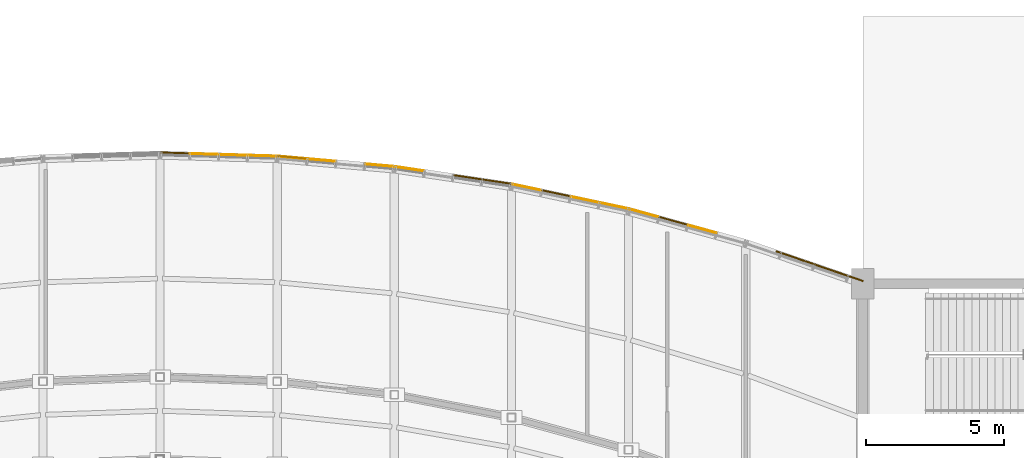
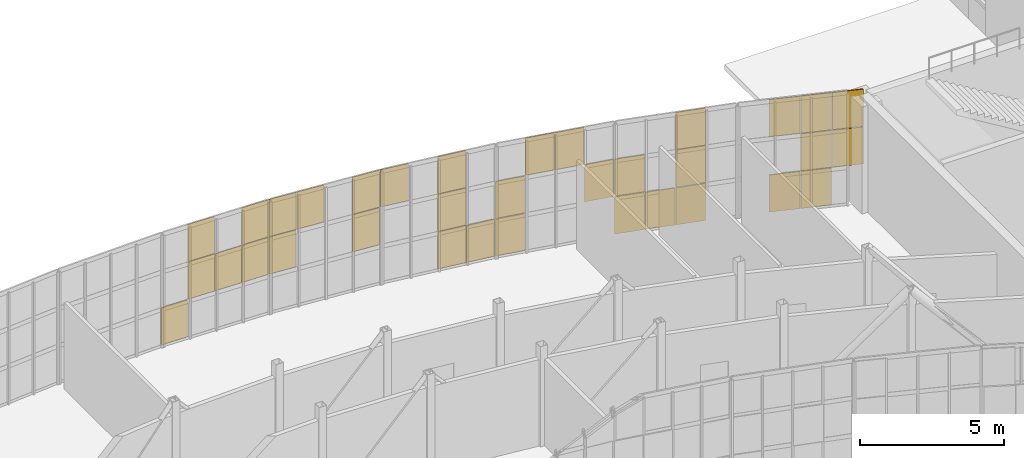
# One storey, part 82 of 86: 34 coverings.
"""IFC4 building model written with IfcOpenShell, lengths in metres."""

from ifc_helpers import new_model, si_unit, direction, frame, origin, origin_2d, place, context, subcontext, project, spatial, rectangle, extrude, material, layer, layer_set, type_object, element, save


model = new_model("IFC4")

# Units and contexts
model_context = context("Model", 3, precision=1e-05, world=origin(), true_north=direction((0.0, 1.0)))
body_context = subcontext(model_context, "Body", "Model", "MODEL_VIEW")
ifc_project = project(units=[si_unit("LENGTHUNIT", "METRE"), si_unit("AREAUNIT", "SQUARE_METRE"), si_unit("VOLUMEUNIT", "CUBIC_METRE"), si_unit("PLANEANGLEUNIT", "RADIAN"), si_unit("MASSUNIT", "GRAM", prefix="KILO")], contexts=[model_context])

# Site, building, storey
site_placement = place(None, origin())
site = spatial("IfcSite", under=ifc_project, at=site_placement, CompositionType="ELEMENT")
building_placement = place(site_placement, origin())
building = spatial("IfcBuilding", under=site, at=building_placement, Name="Solvikara Media Centre", CompositionType="ELEMENT")
storey_placement = place(building_placement, frame((0.0, 0.0, 15.0)))
storey = spatial("IfcBuildingStorey", under=building, at=storey_placement, Name="L03", CompositionType="ELEMENT", Elevation=15.0)

# Coverings
ifc_material_1 = material(Name="GFRC white mineral architectural rainscreen panel")
ifc_layer_1 = layer(ifc_material_1, 0.050048828125)
ifc_layer_set_1 = layer_set([ifc_layer_1], Name="GFRC white mineral architectural rainscreen panel")
covering_type_1 = type_object("IfcCoveringType", Name="CV-04", PredefinedType="CLADDING", material=ifc_layer_set_1)
covering_1_placement = place(storey_placement, frame((102.533935546875, 41.5458984375, 0.01513671875), z_axis=(0.0, 0.0, 1.0), x_axis=(0.999548919735, -0.030032599908, 0.0)))
element("IfcCovering", 1, at=covering_1_placement, inside=storey, type_object=covering_type_1, Name="CW-L03-NARC-06-SF-00", PredefinedType="CLADDING", context=body_context, shape_type="SweptSolid", body=[
    extrude(rectangle(XDim=1.031982421875, YDim=0.050048828125, at=origin_2d()), origin(), (0.0, 0.0, 1.0), 1.570068359375),
])
covering_2_placement = place(storey_placement, frame((106.7900390625, 41.387939453125, 1.61474609375), z_axis=(0.0, 0.0, 1.0), x_axis=(0.996142803437, -0.087746881202, 0.0)))
element("IfcCovering", 2, at=covering_2_placement, inside=storey, type_object=covering_type_1, Name="CW-L03-NARC-07-SF-01", PredefinedType="CLADDING", context=body_context, shape_type="SweptSolid", body=[
    extrude(rectangle(XDim=1.037109375, YDim=0.050048828125, at=origin_2d()), origin(), (0.0, 0.0, 1.0), 1.570068359375),
])
for number, where, z_axis, x_axis, name in (
    (3, (113.1708984375, 40.659912109375, 0.01513671875), (0.0, 0.0, 1.0), (0.989069971909, -0.147446907963, 0.0), "CW-L03-NARC-08-SF-20"),
    (4, (113.1708984375, 40.659912109375, 1.61474609375), (0.0, 0.0, 1.0), (0.989069971909, -0.147446907963, 0.0), "CW-L03-NARC-08-SF-21"),
    (5, (113.1708984375, 40.659912109375, 3.21484375), (0.0, 0.0, 1.0), (0.989069971909, -0.147446907963, 0.0), "CW-L03-NARC-08-SF-22"),
):
    element("IfcCovering", number, at=place(storey_placement, frame(where, z_axis=z_axis, x_axis=x_axis)), inside=storey, type_object=covering_type_1, Name=name, PredefinedType="CLADDING", context=body_context, shape_type="SweptSolid", body=[
        extrude(rectangle(XDim=1.0439453125, YDim=0.050048828125, at=origin_2d()), origin(), (0.0, 0.0, 1.0), 1.570068359375),
    ])
covering_3_placement = place(storey_placement, frame((114.23193359375, 40.501953125, 0.01513671875), z_axis=(0.0, 0.0, 1.0), x_axis=(0.988930567215, -0.148379018826, 0.0)))
element("IfcCovering", 6, at=covering_3_placement, inside=storey, type_object=covering_type_1, Name="CW-L03-NARC-08-SF-30", PredefinedType="CLADDING", context=body_context, shape_type="SweptSolid", body=[
    extrude(rectangle(XDim=1.044921875, YDim=0.050048828125, at=origin_2d()), origin(), (0.0, 0.0, 1.0), 1.570068359375),
])
covering_4_placement = place(storey_placement, frame((116.363037109375, 40.083984375, 3.21484375), z_axis=(0.0, 0.0, 1.0), x_axis=(0.978447760018, -0.206494505776, 0.0)))
element("IfcCovering", 7, at=covering_4_placement, inside=storey, type_object=covering_type_1, Name="CW-L03-NARC-09-SF-12", PredefinedType="CLADDING", context=body_context, shape_type="SweptSolid", body=[
    extrude(rectangle(XDim=1.055908203125, YDim=0.050048828125, at=origin_2d()), origin(), (0.0, 0.0, 1.0), 1.570068359375),
])
covering_5_placement = place(storey_placement, frame((120.618896484375, 39.08203125, 0.01513671875), z_axis=(0.0, 0.0, 1.0), x_axis=(0.964049041264, -0.265724379832, 0.0)))
element("IfcCovering", 8, at=covering_5_placement, inside=storey, type_object=covering_type_1, Name="CW-L03-NARC-10-SF-10", PredefinedType="CLADDING", context=body_context, shape_type="SweptSolid", body=[
    extrude(rectangle(XDim=1.072998046875, YDim=0.050048828125, at=origin_2d()), origin(), (0.0, 0.0, 1.0), 1.570068359375),
])
for number, where, z_axis, x_axis, name in (
    (9, (124.8740234375, 37.802001953125, 0.01513671875), (0.0, 0.0, 1.0), (0.945807995037, -0.324726402566, 0.0), "CW-L03-NARC-11-SF-10"),
    (10, (125.93701171875, 37.43603515625, 0.01513671875), (0.0, 0.0, 1.0), (0.945807995037, -0.324726402566, 0.0), "CW-L03-NARC-11-SF-20"),
    (11, (125.93701171875, 37.43603515625, 3.21484375), (0.0, 0.0, 1.0), (0.945807995037, -0.324726402566, 0.0), "CW-L03-NARC-11-SF-22"),
    (12, (126.9990234375, 37.072021484375, 3.21484375), (0.0, 0.0, 1.0), (0.945807995037, -0.324726402566, 0.0), "CW-L03-NARC-11-SF-32"),
):
    element("IfcCovering", number, at=place(storey_placement, frame(where, z_axis=z_axis, x_axis=x_axis)), inside=storey, type_object=covering_type_1, Name=name, PredefinedType="CLADDING", context=body_context, shape_type="SweptSolid", body=[
        extrude(rectangle(XDim=1.093017578125, YDim=0.050048828125, at=origin_2d()), origin(), (0.0, 0.0, 1.0), 1.570068359375),
    ])
ifc_material_2 = material(Name="Insulated silver-pearl glass spandrel panel", Category="glass")
ifc_layer_2 = layer(ifc_material_2, 0.034912109375)
ifc_layer_set_2 = layer_set([ifc_layer_2], Name="Insulated silver-pearl glass spandrel panel")
covering_type_2 = type_object("IfcCoveringType", Name="CV-06", PredefinedType="CLADDING", material=ifc_layer_set_2)
for number, where, z_axis, x_axis, name in (
    (13, (103.595947265625, 41.50390625, 1.61474609375), (0.0, 0.0, 1.0), (0.999548919735, -0.030032599908, 0.0), "CW-L03-NARC-06-PX-11"),
    (14, (103.595947265625, 41.50390625, 3.21484375), (0.0, 0.0, 1.0), (0.999548919735, -0.030032599908, 0.0), "CW-L03-NARC-06-PX-12"),
):
    element("IfcCovering", number, at=place(storey_placement, frame(where, z_axis=z_axis, x_axis=x_axis)), inside=storey, type_object=covering_type_2, Name=name, PredefinedType="CLADDING", context=body_context, shape_type="SweptSolid", body=[
        extrude(rectangle(XDim=1.031982421875, YDim=0.034912109375, at=origin_2d()), origin(), (0.0, 0.0, 1.0), 1.570068359375),
    ])
covering_6_placement = place(storey_placement, frame((104.658935546875, 41.471923828125, 1.61474609375), z_axis=(0.0, 0.0, 1.0), x_axis=(0.999549967461, -0.02999770905, 0.0)))
element("IfcCovering", 15, at=covering_6_placement, inside=storey, type_object=covering_type_2, Name="CW-L03-NARC-06-PX-21", PredefinedType="CLADDING", context=body_context, shape_type="SweptSolid", body=[
    extrude(rectangle(XDim=1.032958984375, YDim=0.034912109375, at=origin_2d()), origin(), (0.0, 0.0, 1.0), 1.570068359375),
])
for number, where, z_axis, x_axis, name in (
    (16, (105.720947265625, 41.44091796875, 1.61474609375), (0.0, 0.0, 1.0), (0.999548919735, -0.030032599908, 0.0), "CW-L03-NARC-06-PX-31"),
    (17, (105.720947265625, 41.44091796875, 3.21484375), (0.0, 0.0, 1.0), (0.999548919735, -0.030032599908, 0.0), "CW-L03-NARC-06-PX-32"),
):
    element("IfcCovering", number, at=place(storey_placement, frame(where, z_axis=z_axis, x_axis=x_axis)), inside=storey, type_object=covering_type_2, Name=name, PredefinedType="CLADDING", context=body_context, shape_type="SweptSolid", body=[
        extrude(rectangle(XDim=1.031982421875, YDim=0.034912109375, at=origin_2d()), origin(), (0.0, 0.0, 1.0), 1.570068359375),
    ])
covering_7_placement = place(storey_placement, frame((106.7880859375, 41.376953125, 3.21484375), z_axis=(0.0, 0.0, 1.0), x_axis=(0.996142803437, -0.087746881202, 0.0)))
element("IfcCovering", 18, at=covering_7_placement, inside=storey, type_object=covering_type_2, Name="CW-L03-NARC-07-PX-02", PredefinedType="CLADDING", context=body_context, shape_type="SweptSolid", body=[
    extrude(rectangle(XDim=1.037109375, YDim=0.034912109375, at=origin_2d()), origin(), (0.0, 0.0, 1.0), 1.570068359375),
])
for number, where, z_axis, x_axis, name in (
    (19, (107.85107421875, 41.282958984375, 3.21484375), (0.0, 0.0, 1.0), (0.996050368938, -0.088789991203, 0.0), "CW-L03-NARC-07-PX-12"),
    (20, (109.97607421875, 41.094970703125, 1.61474609375), (0.0, 0.0, 1.0), (0.996050368938, -0.088789991203, 0.0), "CW-L03-NARC-07-PX-31"),
    (21, (109.97607421875, 41.094970703125, 3.21484375), (0.0, 0.0, 1.0), (0.996050368938, -0.088789991203, 0.0), "CW-L03-NARC-07-PX-32"),
):
    element("IfcCovering", number, at=place(storey_placement, frame(where, z_axis=z_axis, x_axis=x_axis)), inside=storey, type_object=covering_type_2, Name=name, PredefinedType="CLADDING", context=body_context, shape_type="SweptSolid", body=[
        extrude(rectangle(XDim=1.035888671875, YDim=0.034912109375, at=origin_2d()), origin(), (0.0, 0.0, 1.0), 1.570068359375),
    ])
covering_8_placement = place(storey_placement, frame((111.04296875, 40.968017578125, 3.21484375), z_axis=(0.0, 0.0, 1.0), x_axis=(0.989069971909, -0.147446907963, 0.0)))
element("IfcCovering", 22, at=covering_8_placement, inside=storey, type_object=covering_type_2, Name="CW-L03-NARC-08-PX-02", PredefinedType="CLADDING", context=body_context, shape_type="SweptSolid", body=[
    extrude(rectangle(XDim=1.0439453125, YDim=0.034912109375, at=origin_2d()), origin(), (0.0, 0.0, 1.0), 1.570068359375),
])
for number, where, z_axis, x_axis, name in (
    (23, (115.298095703125, 40.299072265625, 0.01513671875), (0.0, 0.0, 1.0), (0.978447760018, -0.206494505776, 0.0), "CW-L03-NARC-09-PX-00"),
    (24, (115.298095703125, 40.299072265625, 1.61474609375), (0.0, 0.0, 1.0), (0.978447760018, -0.206494505776, 0.0), "CW-L03-NARC-09-PX-01"),
    (25, (117.423095703125, 39.85009765625, 3.21484375), (0.0, 0.0, 1.0), (0.978447760018, -0.206494505776, 0.0), "CW-L03-NARC-09-PX-22"),
    (26, (118.487060546875, 39.6259765625, 1.61474609375), (0.0, 0.0, 1.0), (0.978256328953, -0.207399505455, 0.0), "CW-L03-NARC-09-PX-31"),
):
    element("IfcCovering", number, at=place(storey_placement, frame(where, z_axis=z_axis, x_axis=x_axis)), inside=storey, type_object=covering_type_2, Name=name, PredefinedType="CLADDING", context=body_context, shape_type="SweptSolid", body=[
        extrude(rectangle(XDim=1.055908203125, YDim=0.034912109375, at=origin_2d()), origin(), (0.0, 0.0, 1.0), 1.570068359375),
    ])
for number, where, z_axis, x_axis, name in (
    (27, (119.552978515625, 39.364990234375, 0.01513671875), (0.0, 0.0, 1.0), (0.963984083771, -0.265959933516, 0.0), "CW-L03-NARC-10-PX-00"),
    (28, (119.552978515625, 39.364990234375, 1.61474609375), (0.0, 0.0, 1.0), (0.963984083771, -0.265959933516, 0.0), "CW-L03-NARC-10-PX-01"),
):
    element("IfcCovering", number, at=place(storey_placement, frame(where, z_axis=z_axis, x_axis=x_axis)), inside=storey, type_object=covering_type_2, Name=name, PredefinedType="CLADDING", context=body_context, shape_type="SweptSolid", body=[
        extrude(rectangle(XDim=1.072021484375, YDim=0.034912109375, at=origin_2d()), origin(), (0.0, 0.0, 1.0), 1.570068359375),
    ])
for number, where, z_axis, x_axis, name in (
    (29, (121.677978515625, 38.780029296875, 0.01513671875), (0.0, 0.0, 1.0), (0.964225064307, -0.2650849399, 0.0), "CW-L03-NARC-10-PX-20"),
    (30, (121.677978515625, 38.780029296875, 1.61474609375), (0.0, 0.0, 1.0), (0.964225064307, -0.2650849399, 0.0), "CW-L03-NARC-10-PX-21"),
    (31, (121.677978515625, 38.780029296875, 3.21484375), (0.0, 0.0, 1.0), (0.964225064307, -0.2650849399, 0.0), "CW-L03-NARC-10-PX-22"),
):
    element("IfcCovering", number, at=place(storey_placement, frame(where, z_axis=z_axis, x_axis=x_axis)), inside=storey, type_object=covering_type_2, Name=name, PredefinedType="CLADDING", context=body_context, shape_type="SweptSolid", body=[
        extrude(rectangle(XDim=1.071044921875, YDim=0.034912109375, at=origin_2d()), origin(), (0.0, 0.0, 1.0), 1.570068359375),
    ])
covering_9_placement = place(storey_placement, frame((124.87109375, 37.7919921875, 3.21484375), z_axis=(0.0, 0.0, 1.0), x_axis=(0.945529939496, -0.325535149434, 0.0)))
element("IfcCovering", 32, at=covering_9_placement, inside=storey, type_object=covering_type_2, Name="CW-L03-NARC-11-PX-12", PredefinedType="CLADDING", context=body_context, shape_type="SweptSolid", body=[
    extrude(rectangle(XDim=1.093994140625, YDim=0.034912109375, at=origin_2d()), origin(), (0.0, 0.0, 1.0), 1.570068359375),
])
covering_10_placement = place(storey_placement, frame((125.93310546875, 37.427001953125, 1.61474609375), z_axis=(0.0, 0.0, 1.0), x_axis=(0.945626486098, -0.325254590729, 0.0)))
element("IfcCovering", 33, at=covering_10_placement, inside=storey, type_object=covering_type_2, Name="CW-L03-NARC-11-PX-21", PredefinedType="CLADDING", context=body_context, shape_type="SweptSolid", body=[
    extrude(rectangle(XDim=1.094970703125, YDim=0.034912109375, at=origin_2d()), origin(), (0.0, 0.0, 1.0), 1.570068359375),
])
covering_11_placement = place(storey_placement, frame((126.99609375, 37.06201171875, 1.61474609375), z_axis=(0.0, 0.0, 1.0), x_axis=(0.945529939496, -0.325535149434, 0.0)))
element("IfcCovering", 34, at=covering_11_placement, inside=storey, type_object=covering_type_2, Name="CW-L03-NARC-11-PX-31", PredefinedType="CLADDING", context=body_context, shape_type="SweptSolid", body=[
    extrude(rectangle(XDim=1.093994140625, YDim=0.034912109375, at=origin_2d()), origin(), (0.0, 0.0, 1.0), 1.570068359375),
])

save(model, "model.ifc")
